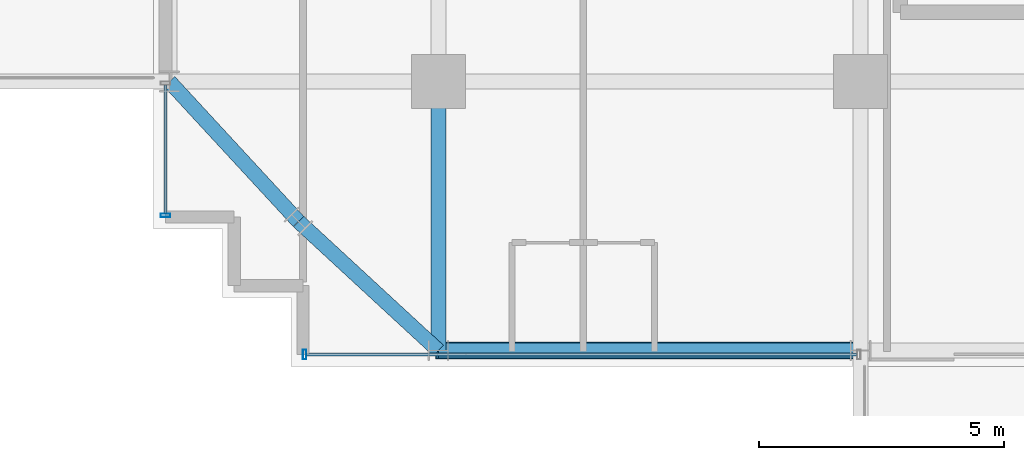
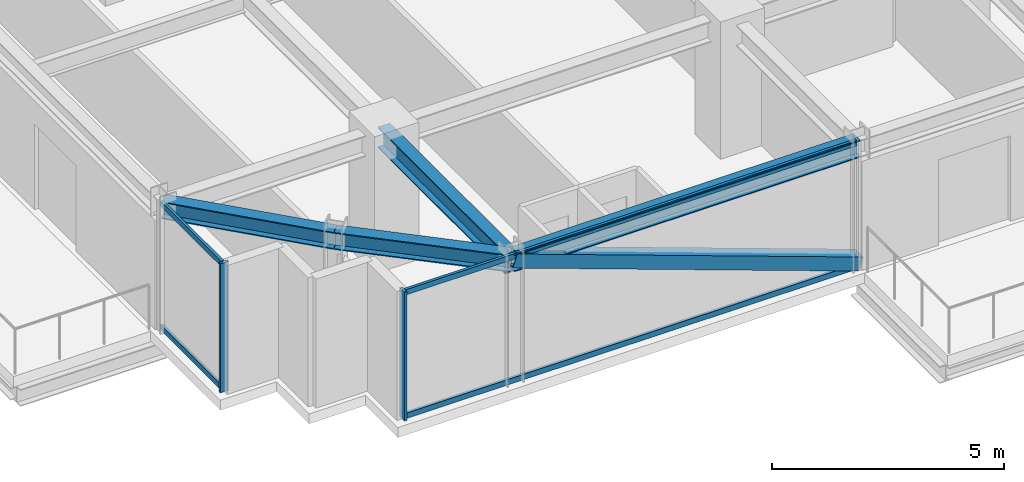
# One storey, part 2 of 35: 7 members, 4 beams, 2 elements without a shape of their own.
"""IFC4 building model written with IfcOpenShell, lengths in metres."""

from ifc_helpers import new_model, si_unit, direction, frame, origin, origin_2d, place, context, subcontext, project, spatial, hollow_rectangle, i_section, extrude, source, transform, mapped, material, material_profile, profile_set, type_object, element, aggregate, save


model = new_model("IFC4")

# Units and contexts
model_context = context("Model", 3, precision=1e-05, world=origin(), true_north=direction((0.0, 1.0)))
body_context = subcontext(model_context, "Body", "Model", "MODEL_VIEW")
ifc_project = project(units=[si_unit("LENGTHUNIT", "METRE"), si_unit("AREAUNIT", "SQUARE_METRE"), si_unit("VOLUMEUNIT", "CUBIC_METRE"), si_unit("PLANEANGLEUNIT", "RADIAN"), si_unit("MASSUNIT", "GRAM", prefix="KILO")], contexts=[model_context])

# Site, building, storey
site_placement = place(None, origin())
site = spatial("IfcSite", under=ifc_project, at=site_placement, CompositionType="ELEMENT")
building_placement = place(site_placement, origin())
building = spatial("IfcBuilding", under=site, at=building_placement, Name="Nahalor Promenade Grand Hotel", CompositionType="ELEMENT")
storey_placement = place(building_placement, frame((0.0, 0.0, 185.5)))
storey = spatial("IfcBuildingStorey", under=building, at=storey_placement, Name="L47", CompositionType="ELEMENT", Elevation=185.5)

# Beams
ifc_material_1 = material(Name="Steel S355JR", Category="steel")
ifc_material_profile_1 = material_profile(ifc_material_1, i_section(OverallWidth=0.3, OverallDepth=0.55, WebThickness=0.015, FlangeThickness=0.029, at=origin_2d()), Name="HEB 550")
ifc_profile_set_1 = profile_set([ifc_material_profile_1], Name="Steel S355JR")
beam_type_1 = type_object("IfcBeamType", Name="Beam-Girder-HEB550", PredefinedType="BEAM", material=ifc_profile_set_1)
shared_shape_1 = source(origin(), body_context, "Body", "SweptSolid", [
    extrude(i_section(OverallWidth=0.3, OverallDepth=0.55, WebThickness=0.015, FlangeThickness=0.029, at=origin_2d()), origin(), (0.0, 0.0, 1.0), 5.47998046875),
])
beam_1_placement = place(storey_placement, frame((-17.0, -22.47998046875, 3.114990234375), z_axis=(0.0, 1.0, 0.0), x_axis=(-1.0, 0.0, 0.0)))
element("IfcBeam", 1, at=beam_1_placement, inside=storey, type_object=beam_type_1, Name="BM-L47-GY-0-0", PredefinedType="BEAM", context=body_context, shape_type="MappedRepresentation", body=[
    mapped(shared_shape_1, transform((0.0, 0.0, 0.0), scale=1.0)),
])
ifc_material_profile_2 = material_profile(ifc_material_1, i_section(OverallWidth=0.3, OverallDepth=0.45, WebThickness=0.014, FlangeThickness=0.026, at=origin_2d()), Name="HEB 450")
ifc_profile_set_2 = profile_set([ifc_material_profile_2], Name="Steel S355JR")
beam_type_2 = type_object("IfcBeamType", Name="Beam-Spandrel-HEB450", PredefinedType="SPANDREL", material=ifc_profile_set_2)
shared_shape_2 = source(origin(), body_context, "Body", "SweptSolid", [
    extrude(i_section(OverallWidth=0.3, OverallDepth=0.45, WebThickness=0.014, FlangeThickness=0.026, at=origin_2d()), origin(), (0.0, 0.0, 1.0), 8.60009765625),
])
beam_2_placement = place(storey_placement, frame((-17.0, -22.47998046875, 3.1650390625), z_axis=(1.0, 0.0, 0.0), x_axis=(0.0, 1.0, 0.0)))
element("IfcBeam", 2, at=beam_2_placement, inside=storey, type_object=beam_type_2, Name="BM-L47-SP-S-0", PredefinedType="SPANDREL", context=body_context, shape_type="MappedRepresentation", body=[
    mapped(shared_shape_2, transform((0.0, 0.0, 0.0), scale=1.0)),
])
shared_shape_3 = source(origin(), body_context, "Body", "SweptSolid", [
    extrude(i_section(OverallWidth=0.3, OverallDepth=0.45, WebThickness=0.014, FlangeThickness=0.026, at=origin_2d()), origin(), (0.0, 0.0, 1.0), 3.878173828125),
])
for number, where, z_axis, x_axis, name in (
    (3, (-17.0, -22.47998046875, 3.1650390625), (-0.73492893846, 0.678144125843, 0.0), (-0.678144125843, -0.73492893846, 0.0), "BM-L47-SPC-SW-1"),
    (4, (-19.85009765625, -19.85009765625, 3.1650390625), (-0.678144125843, 0.73492893846, 0.0), (-0.73492893846, -0.678144125843, 0.0), "BM-L47-SPC-SW-2"),
):
    element("IfcBeam", number, at=place(storey_placement, frame(where, z_axis=z_axis, x_axis=x_axis)), inside=storey, type_object=beam_type_2, Name=name, PredefinedType="SPANDREL", context=body_context, shape_type="MappedRepresentation", body=[
        mapped(shared_shape_3, transform((0.0, 0.0, 0.0), scale=1.0)),
    ])

# Member
ifc_material_profile_3 = material_profile(ifc_material_1, hollow_rectangle(XDim=0.35, YDim=0.35, WallThickness=0.02, at=origin_2d()), Name="SHS 350x350x20")
ifc_profile_set_3 = profile_set([ifc_material_profile_3], Name="Steel S355JR")
member_type_1 = type_object("IfcMemberType", Name="Mem-VoidBrace-SHS350", PredefinedType="BRACE", material=ifc_profile_set_3)
shared_shape_4 = source(origin(), body_context, "Body", "SweptSolid", [
    extrude(hollow_rectangle(XDim=0.35, YDim=0.35, WallThickness=0.02, at=origin_2d()), origin(), (0.0, 0.0, 1.0), 9.138427734375),
])
member_1_placement = place(storey_placement, frame((-8.39990234375, -22.47998046875, 0.14990234375), z_axis=(-0.941094643271, 0.0, 0.338143272012), x_axis=(0.0, -1.0, 0.0)))
element("IfcMember", 5, at=member_1_placement, inside=storey, type_object=member_type_1, Name="EXO-L47-S-0", PredefinedType="BRACE", context=body_context, shape_type="MappedRepresentation", body=[
    mapped(shared_shape_4, transform((0.0, 0.0, 0.0), scale=1.0)),
])

# Curtain wall, members
ifc_material_2 = material(Name="Anodised Bronze Aluminium EN AW-6063 T6", Category="aluminium")
curtain_wall_type = type_object("IfcCurtainWallType", Name="CW3 Elliptical-Void Collar Unitised Curtain Wall", PredefinedType="USERDEFINED", material=ifc_material_2)
curtain_wall_1_placement = place(storey_placement, origin())
curtain_wall_1 = element("IfcCurtainWall", 6, at=curtain_wall_1_placement, inside=storey, type_object=curtain_wall_type, Name="L47 Curtain Wall CW-L47-S-1", ObjectType="UNITISED_CURTAIN_WALL", PredefinedType="USERDEFINED")
ifc_material_profile_4 = material_profile(ifc_material_2, hollow_rectangle(XDim=0.07, YDim=0.14, WallThickness=0.004, at=origin_2d()), Name="CWT 70x140x4")
ifc_profile_set_4 = profile_set([ifc_material_profile_4], Name="Anodised Bronze Aluminium EN AW-6063 T6")
member_type_2 = type_object("IfcMemberType", Name="CWT3 Void Collar Transom 70x140", PredefinedType="USERDEFINED", material=ifc_profile_set_4)
shared_shape_5 = source(origin(), body_context, "Body", "SweptSolid", [
    extrude(hollow_rectangle(XDim=0.07, YDim=0.14, WallThickness=0.004, at=origin_2d()), origin(), (0.0, 0.0, 1.0), 11.219970703125),
])
member_2_placement = place(storey_placement, frame((-19.68994140625, -22.56005859375, 0.070068359375), z_axis=(1.0, 0.0, 0.0), x_axis=(0.0, 1.0, 0.0)))
member_2 = element("IfcMember", 7, at=member_2_placement, type_object=member_type_2, Name="CW-L47-S-1 Transom 0-0", ObjectType="TRANSOM", PredefinedType="USERDEFINED", context=body_context, shape_type="MappedRepresentation", body=[
    mapped(shared_shape_5, transform((0.0, 0.0, 0.0), scale=1.0)),
])
member_3_placement = place(storey_placement, frame((-19.68994140625, -22.56005859375, 3.320068359375), z_axis=(1.0, 0.0, 0.0), x_axis=(0.0, 1.0, 0.0)))
member_3 = element("IfcMember", 8, at=member_3_placement, type_object=member_type_2, Name="CW-L47-S-1 Transom 0-1", ObjectType="TRANSOM", PredefinedType="USERDEFINED", context=body_context, shape_type="MappedRepresentation", body=[
    mapped(shared_shape_5, transform((0.0, 0.0, 0.0), scale=1.0)),
])

curtain_wall_2_placement = place(storey_placement, origin())
curtain_wall_2 = element("IfcCurtainWall", 9, at=curtain_wall_2_placement, inside=storey, type_object=curtain_wall_type, Name="L47 Curtain Wall CW-L47-W-1", ObjectType="UNITISED_CURTAIN_WALL", PredefinedType="USERDEFINED")
shared_shape_6 = source(origin(), body_context, "Body", "SweptSolid", [
    extrude(hollow_rectangle(XDim=0.07, YDim=0.14, WallThickness=0.004, at=origin_2d()), origin(), (0.0, 0.0, 1.0), 2.619873046875),
])
member_4_placement = place(storey_placement, frame((-22.56005859375, -19.68994140625, 0.070068359375), z_axis=(0.0, 1.0, 0.0), x_axis=(-1.0, 0.0, 0.0)))
member_4 = element("IfcMember", 10, at=member_4_placement, type_object=member_type_2, Name="CW-L47-W-1 Transom 0-0", ObjectType="TRANSOM", PredefinedType="USERDEFINED", context=body_context, shape_type="MappedRepresentation", body=[
    mapped(shared_shape_6, transform((0.0, 0.0, 0.0), scale=1.0)),
])
member_5_placement = place(storey_placement, frame((-22.56005859375, -19.68994140625, 3.320068359375), z_axis=(0.0, 1.0, 0.0), x_axis=(-1.0, 0.0, 0.0)))
member_5 = element("IfcMember", 11, at=member_5_placement, type_object=member_type_2, Name="CW-L47-W-1 Transom 0-1", ObjectType="TRANSOM", PredefinedType="USERDEFINED", context=body_context, shape_type="MappedRepresentation", body=[
    mapped(shared_shape_6, transform((0.0, 0.0, 0.0), scale=1.0)),
])

# Member
ifc_material_profile_5 = material_profile(ifc_material_2, hollow_rectangle(XDim=0.07, YDim=0.2, WallThickness=0.005, at=origin_2d()), Name="CWM 70x200x5")
ifc_profile_set_5 = profile_set([ifc_material_profile_5], Name="Anodised Bronze Aluminium EN AW-6063 T6")
member_type_3 = type_object("IfcMemberType", Name="CWM3 Void Collar Mullion 70x200", PredefinedType="MULLION", material=ifc_profile_set_5)
shared_shape_7 = source(origin(), body_context, "Body", "SweptSolid", [
    extrude(hollow_rectangle(XDim=0.07, YDim=0.2, WallThickness=0.005, at=origin_2d()), origin(), (0.0, 0.0, 1.0), 3.389892578125),
])
member_6_placement = place(storey_placement, frame((-19.72509765625, -22.56005859375, 0.0), z_axis=(0.0, 0.0, 1.0), x_axis=(1.0, 0.0, 0.0)))
member_6 = element("IfcMember", 12, at=member_6_placement, type_object=member_type_3, Name="CW-L47-S-1 Mullion 0", PredefinedType="MULLION", context=body_context, shape_type="MappedRepresentation", body=[
    mapped(shared_shape_7, transform((0.0, 0.0, 0.0), scale=1.0)),
])

aggregate(curtain_wall_1, [member_6, member_2, member_3])

member_7_placement = place(storey_placement, frame((-22.56005859375, -19.72509765625, 0.0), z_axis=(0.0, 0.0, 1.0), x_axis=(0.0, 1.0, 0.0)))
member_7 = element("IfcMember", 13, at=member_7_placement, type_object=member_type_3, Name="CW-L47-W-1 Mullion 0", PredefinedType="MULLION", context=body_context, shape_type="MappedRepresentation", body=[
    mapped(shared_shape_7, transform((0.0, 0.0, 0.0), scale=1.0)),
])

aggregate(curtain_wall_2, [member_7, member_4, member_5])

save(model, "model.ifc")
